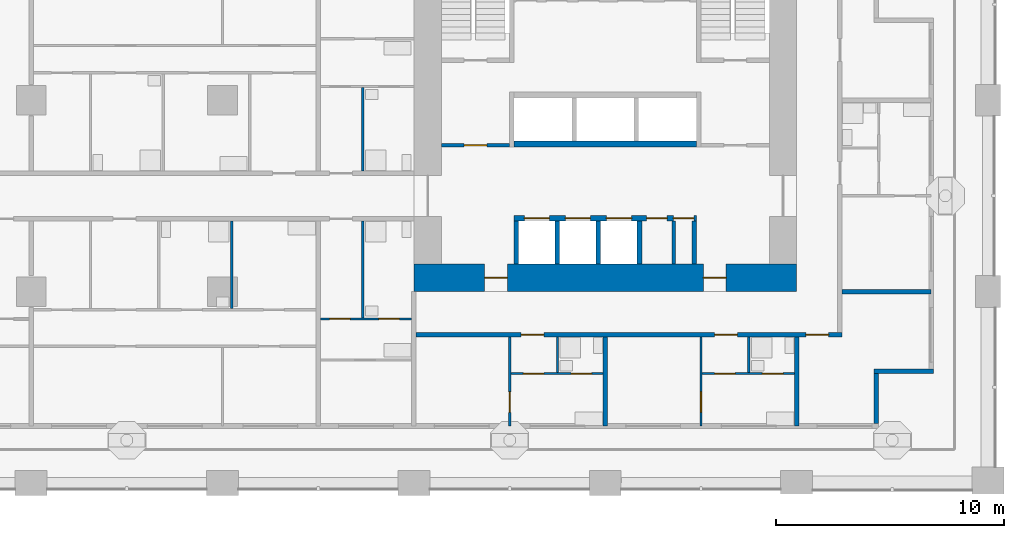
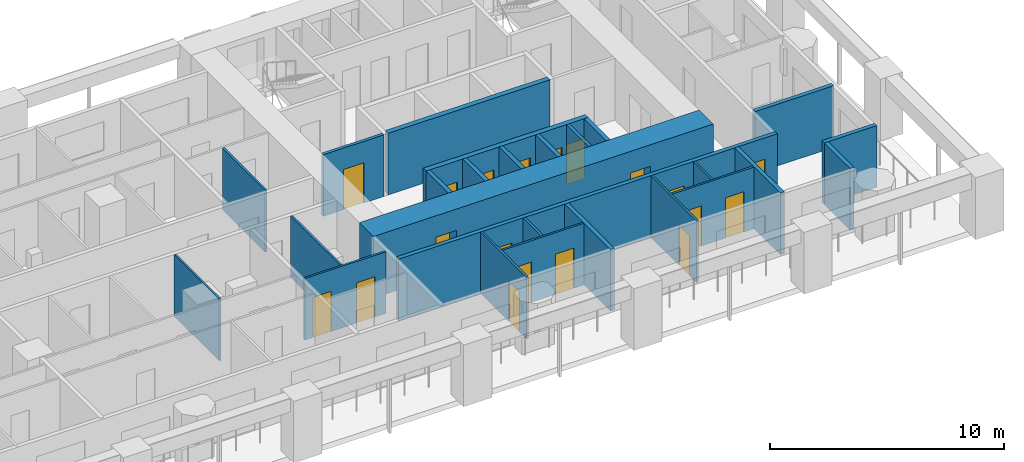
# One storey, part 6 of 22: 26 walls, 19 doors, 19 openings.
"""IFC4 building model written with IfcOpenShell, lengths in metres."""

from ifc_helpers import new_model, si_unit, direction, frame, frame_2d, origin, place, context, subcontext, project, spatial, rectangle, extrude, material, layer, layer_set, type_object, element, fill, save


model = new_model("IFC4")

# Units and contexts
model_context = context("Model", 3, precision=1e-05, world=origin(), true_north=direction((0.0, 1.0)))
body_context = subcontext(model_context, "Body", "Model", "MODEL_VIEW")
ifc_project = project(units=[si_unit("LENGTHUNIT", "METRE"), si_unit("AREAUNIT", "SQUARE_METRE"), si_unit("VOLUMEUNIT", "CUBIC_METRE"), si_unit("PLANEANGLEUNIT", "RADIAN"), si_unit("MASSUNIT", "GRAM", prefix="KILO")], contexts=[model_context])

# Site, building, storey
site_placement = place(None, origin())
site = spatial("IfcSite", under=ifc_project, at=site_placement, CompositionType="ELEMENT")
building_placement = place(site_placement, origin())
building = spatial("IfcBuilding", under=site, at=building_placement, Name="Vermilion Gate Residences", CompositionType="ELEMENT")
storey_placement = place(building_placement, frame((0.0, 0.0, 60.199951171875)))
storey = spatial("IfcBuildingStorey", under=building, at=storey_placement, Name="L14", CompositionType="ELEMENT", Elevation=60.199951171875)

# Wall
ifc_material_1 = material(Name="Masonry blockwork", Category="masonry")
ifc_layer_1 = layer(ifc_material_1, 0.14990234375)
ifc_layer_set_1 = layer_set([ifc_layer_1], Name="BLOCKWORK PARTITION 150 EI 120")
wall_type_1 = type_object("IfcWallType", Name="BLOCKWORK PARTITION 150 EI 120", PredefinedType="PARTITIONING", material=ifc_layer_set_1)
wall_1_placement = place(storey_placement, frame((53.407470703125, 9.60009765625, 0.0), z_axis=(0.0, 0.0, 1.0), x_axis=(0.0, 1.0, 0.0)))
element("IfcWall", 1, at=wall_1_placement, inside=storey, type_object=wall_type_1, Name="Core room partition A14-SR-P0", PredefinedType="PARTITIONING", context=body_context, shape_type="SweptSolid", body=[
    extrude(rectangle(XDim=1.89990234375, YDim=0.14990234375, at=frame_2d((0.949951171875, 0.0))), origin(), (0.0, 0.0, 1.0), 3.219970703125),
])

# Wall, opening, door
wall_2_placement = place(storey_placement, frame((43.199951171875, 14.824951171875, 0.0), z_axis=(0.0, 0.0, 1.0), x_axis=(1.0, 0.0, 0.0)))
wall_2 = element("IfcWall", 2, at=wall_2_placement, inside=storey, type_object=wall_type_1, Name="Core room partition A14-VW-S", PredefinedType="PARTITIONING", context=body_context, shape_type="SweptSolid", body=[
    extrude(rectangle(XDim=3.0, YDim=0.14990234375, at=frame_2d((1.5, 0.0))), origin(), (0.0, 0.0, 1.0), 3.219970703125),
])
opening_1_placement = place(wall_2_placement, frame((1.0, 0.0, 0.0)))
opening_1 = element("IfcOpeningElement", 3, at=opening_1_placement, cuts=wall_2, Name="Opening DK14015", PredefinedType="OPENING", context=body_context, shape_type="SweptSolid", body=[
    extrude(rectangle(XDim=1.0, YDim=2.10009765625, at=frame_2d((0.5, 1.050048828125))), frame((0.0, 0.0849609375, 0.0), z_axis=(0.0, -1.0, 0.0), x_axis=(1.0, 0.0, 0.0)), (0.0, 0.0, 1.0), 0.169921875),
])
ifc_material_2 = material(Name="Steel", Category="steel")
door_type_1 = type_object("IfcDoorType", Name="FIRE DOOR FD60 1000 X 2100", OperationType="SINGLE_SWING_LEFT", PredefinedType="DOOR", material=ifc_material_2)
door_1_placement = place(opening_1_placement, frame((1.0, 0.0, 0.0), z_axis=(0.0, 0.0, 1.0), x_axis=(-1.0, 0.0, 0.0)))
door_1 = element("IfcDoor", 4, at=door_1_placement, inside=storey, type_object=door_type_1, Name="Stair vestibule door A14", OperationType="SINGLE_SWING_RIGHT", OverallHeight=2.10009765625, OverallWidth=1.0, PredefinedType="DOOR", context=body_context, shape_type="SweptSolid", body=[
    extrude(rectangle(XDim=1.0, YDim=2.10009765625, at=frame_2d((0.5, 1.050048828125))), frame((0.0, 0.02490234375, 0.0), z_axis=(0.0, -1.0, 0.0), x_axis=(1.0, 0.0, 0.0)), (0.0, 0.0, 1.0), 0.050048828125),
])
fill(opening_1, door_1)

# Walls
ifc_material_3 = material(Name="Insulated steel stud wall with terracotta rainscreen", Category="masonry")
ifc_layer_2 = layer(ifc_material_3, 0.199951171875)
ifc_layer_set_2 = layer_set([ifc_layer_2], Name="EXTERNAL WALL 200 TERRACOTTA RAINSCREEN")
wall_type_2 = type_object("IfcWallType", Name="EXTERNAL WALL 200 TERRACOTTA RAINSCREEN", PredefinedType="SOLIDWALL", material=ifc_layer_set_2)
wall_3_placement = place(storey_placement, frame((62.300048828125, 2.60009765625, 0.0), z_axis=(0.0, 0.0, 1.0), x_axis=(0.0, 1.0, 0.0)))
element("IfcWall", 5, at=wall_3_placement, inside=storey, type_object=wall_type_2, Name="External wall", PredefinedType="SOLIDWALL", context=body_context, shape_type="SweptSolid", body=[
    extrude(rectangle(XDim=2.199951171875, YDim=0.199951171875, at=frame_2d((1.10009765625, 0.0))), origin(), (0.0, 0.0, 1.0), 3.219970703125),
])
wall_4_placement = place(storey_placement, frame((62.199951171875, 4.89990234375, 0.0), z_axis=(0.0, 0.0, 1.0), x_axis=(1.0, 0.0, 0.0)))
element("IfcWall", 6, at=wall_4_placement, inside=storey, type_object=wall_type_2, Name="External wall", PredefinedType="SOLIDWALL", context=body_context, shape_type="SweptSolid", body=[
    extrude(rectangle(XDim=2.60009765625, YDim=0.199951171875, at=frame_2d((1.300048828125, 0.0))), origin(), (0.0, 0.0, 1.0), 3.219970703125),
])

# Wall, openings, doors
ifc_material_4 = material(Name="Plasterboard on steel studs", Category="steel")
ifc_layer_3 = layer(ifc_material_4, 0.10009765625)
ifc_layer_set_3 = layer_set([ifc_layer_3], Name="PARTITION 100")
wall_type_3 = type_object("IfcWallType", Name="PARTITION 100", PredefinedType="PARTITIONING", material=ifc_layer_set_3)
wall_5_placement = place(storey_placement, frame((46.25, 4.800048828125, 0.0), z_axis=(0.0, 0.0, 1.0), x_axis=(1.0, 0.0, 0.0)))
wall_5 = element("IfcWall", 7, at=wall_5_placement, inside=storey, type_object=wall_type_3, Name="Partition", PredefinedType="PARTITIONING", context=body_context, shape_type="SweptSolid", body=[
    extrude(rectangle(XDim=4.050048828125, YDim=0.10009765625, at=frame_2d((2.02490234375, 0.0))), origin(), (0.0, 0.0, 1.0), 3.219970703125),
])
opening_2_placement = place(wall_5_placement, frame((0.550048828125, 0.0, 0.0)))
opening_2 = element("IfcOpeningElement", 8, at=opening_2_placement, cuts=wall_5, Name="Opening DA13001", PredefinedType="OPENING", context=body_context, shape_type="SweptSolid", body=[
    extrude(rectangle(XDim=0.89990234375, YDim=2.10009765625, at=frame_2d((0.449951171875, 1.050048828125))), frame((0.0, 0.06005859375, 0.0), z_axis=(0.0, -1.0, 0.0), x_axis=(1.0, 0.0, 0.0)), (0.0, 0.0, 1.0), 0.1201171875),
])
opening_3_placement = place(wall_5_placement, frame((2.64990234375, 0.0, 0.0)))
opening_3 = element("IfcOpeningElement", 9, at=opening_3_placement, cuts=wall_5, Name="Opening DA13002", PredefinedType="OPENING", context=body_context, shape_type="SweptSolid", body=[
    extrude(rectangle(XDim=0.89990234375, YDim=2.10009765625, at=frame_2d((0.449951171875, 1.050048828125))), frame((0.0, 0.06005859375, 0.0), z_axis=(0.0, -1.0, 0.0), x_axis=(1.0, 0.0, 0.0)), (0.0, 0.0, 1.0), 0.1201171875),
])
ifc_material_5 = material(Name="Timber", Category="wood")
door_type_2 = type_object("IfcDoorType", Name="INTERIOR DOOR 900 X 2100", OperationType="SINGLE_SWING_LEFT", PredefinedType="DOOR", material=ifc_material_5)
door_2_placement = place(opening_2_placement, frame((0.89990234375, 0.0, 0.0), z_axis=(0.0, 0.0, 1.0), x_axis=(-1.0, 0.0, 0.0)))
door_2 = element("IfcDoor", 10, at=door_2_placement, inside=storey, type_object=door_type_2, Name="Interior door", OperationType="SINGLE_SWING_RIGHT", OverallHeight=2.10009765625, OverallWidth=0.89990234375, PredefinedType="DOOR", context=body_context, shape_type="SweptSolid", body=[
    extrude(rectangle(XDim=0.89990234375, YDim=2.10009765625, at=frame_2d((0.449951171875, 1.050048828125))), frame((0.0, 0.02490234375, 0.0), z_axis=(0.0, -1.0, 0.0), x_axis=(1.0, 0.0, 0.0)), (0.0, 0.0, 1.0), 0.050048828125),
])
fill(opening_2, door_2)
door_3_placement = place(opening_3_placement, origin())
door_3 = element("IfcDoor", 11, at=door_3_placement, inside=storey, type_object=door_type_2, Name="Interior door", OperationType="SINGLE_SWING_RIGHT", OverallHeight=2.10009765625, OverallWidth=0.89990234375, PredefinedType="DOOR", context=body_context, shape_type="SweptSolid", body=[
    extrude(rectangle(XDim=0.89990234375, YDim=2.10009765625, at=frame_2d((0.449951171875, 1.050048828125))), frame((0.0, 0.02490234375, 0.0), z_axis=(0.0, -1.0, 0.0), x_axis=(1.0, 0.0, 0.0)), (0.0, 0.0, 1.0), 0.050048828125),
])
fill(opening_3, door_3)

wall_6_placement = place(storey_placement, frame((54.64990234375, 4.800048828125, 0.0), z_axis=(0.0, 0.0, 1.0), x_axis=(1.0, 0.0, 0.0)))
wall_6 = element("IfcWall", 12, at=wall_6_placement, inside=storey, type_object=wall_type_3, Name="Partition", PredefinedType="PARTITIONING", context=body_context, shape_type="SweptSolid", body=[
    extrude(rectangle(XDim=4.050048828125, YDim=0.10009765625, at=frame_2d((2.02490234375, 0.0))), origin(), (0.0, 0.0, 1.0), 3.219970703125),
])
opening_4_placement = place(wall_6_placement, frame((0.550048828125, 0.0, 0.0)))
opening_4 = element("IfcOpeningElement", 13, at=opening_4_placement, cuts=wall_6, Name="Opening DA13003", PredefinedType="OPENING", context=body_context, shape_type="SweptSolid", body=[
    extrude(rectangle(XDim=0.89990234375, YDim=2.10009765625, at=frame_2d((0.449951171875, 1.050048828125))), frame((0.0, 0.06005859375, 0.0), z_axis=(0.0, -1.0, 0.0), x_axis=(1.0, 0.0, 0.0)), (0.0, 0.0, 1.0), 0.1201171875),
])
opening_5_placement = place(wall_6_placement, frame((2.64990234375, 0.0, 0.0)))
opening_5 = element("IfcOpeningElement", 14, at=opening_5_placement, cuts=wall_6, Name="Opening DA13004", PredefinedType="OPENING", context=body_context, shape_type="SweptSolid", body=[
    extrude(rectangle(XDim=0.89990234375, YDim=2.10009765625, at=frame_2d((0.449951171875, 1.050048828125))), frame((0.0, 0.06005859375, 0.0), z_axis=(0.0, -1.0, 0.0), x_axis=(1.0, 0.0, 0.0)), (0.0, 0.0, 1.0), 0.1201171875),
])
door_4_placement = place(opening_4_placement, frame((0.89990234375, 0.0, 0.0), z_axis=(0.0, 0.0, 1.0), x_axis=(-1.0, 0.0, 0.0)))
door_4 = element("IfcDoor", 15, at=door_4_placement, inside=storey, type_object=door_type_2, Name="Interior door", OperationType="SINGLE_SWING_RIGHT", OverallHeight=2.10009765625, OverallWidth=0.89990234375, PredefinedType="DOOR", context=body_context, shape_type="SweptSolid", body=[
    extrude(rectangle(XDim=0.89990234375, YDim=2.10009765625, at=frame_2d((0.449951171875, 1.050048828125))), frame((0.0, 0.02490234375, 0.0), z_axis=(0.0, -1.0, 0.0), x_axis=(1.0, 0.0, 0.0)), (0.0, 0.0, 1.0), 0.050048828125),
])
fill(opening_4, door_4)
door_5_placement = place(opening_5_placement, origin())
door_5 = element("IfcDoor", 16, at=door_5_placement, inside=storey, type_object=door_type_2, Name="Interior door", OperationType="SINGLE_SWING_RIGHT", OverallHeight=2.10009765625, OverallWidth=0.89990234375, PredefinedType="DOOR", context=body_context, shape_type="SweptSolid", body=[
    extrude(rectangle(XDim=0.89990234375, YDim=2.10009765625, at=frame_2d((0.449951171875, 1.050048828125))), frame((0.0, 0.02490234375, 0.0), z_axis=(0.0, -1.0, 0.0), x_axis=(1.0, 0.0, 0.0)), (0.0, 0.0, 1.0), 0.050048828125),
])
fill(opening_5, door_5)

wall_7_placement = place(storey_placement, frame((37.89990234375, 7.199951171875, 0.0), z_axis=(0.0, 0.0, 1.0), x_axis=(1.0, 0.0, 0.0)))
wall_7 = element("IfcWall", 17, at=wall_7_placement, inside=storey, type_object=wall_type_3, Name="Partition", PredefinedType="PARTITIONING", context=body_context, shape_type="SweptSolid", body=[
    extrude(rectangle(XDim=4.0, YDim=0.10009765625, at=frame_2d((2.0, 0.0))), origin(), (0.0, 0.0, 1.0), 3.219970703125),
])
opening_6_placement = place(wall_7_placement, frame((0.39990234375, 0.0, 0.0)))
opening_6 = element("IfcOpeningElement", 18, at=opening_6_placement, cuts=wall_7, Name="Opening DA13017", PredefinedType="OPENING", context=body_context, shape_type="SweptSolid", body=[
    extrude(rectangle(XDim=0.89990234375, YDim=2.10009765625, at=frame_2d((0.449951171875, 1.050048828125))), frame((0.0, 0.06005859375, 0.0), z_axis=(0.0, -1.0, 0.0), x_axis=(1.0, 0.0, 0.0)), (0.0, 0.0, 1.0), 0.1201171875),
])
opening_7_placement = place(wall_7_placement, frame((2.56005859375, 0.0, 0.0)))
opening_7 = element("IfcOpeningElement", 19, at=opening_7_placement, cuts=wall_7, Name="Opening DA13018", PredefinedType="OPENING", context=body_context, shape_type="SweptSolid", body=[
    extrude(rectangle(XDim=0.89990234375, YDim=2.10009765625, at=frame_2d((0.449951171875, 1.050048828125))), frame((0.0, 0.06005859375, 0.0), z_axis=(0.0, -1.0, 0.0), x_axis=(1.0, 0.0, 0.0)), (0.0, 0.0, 1.0), 0.1201171875),
])
door_6_placement = place(opening_6_placement, frame((0.89990234375, 0.0, 0.0), z_axis=(0.0, 0.0, 1.0), x_axis=(-1.0, 0.0, 0.0)))
door_6 = element("IfcDoor", 20, at=door_6_placement, inside=storey, type_object=door_type_2, Name="Interior door", OperationType="SINGLE_SWING_RIGHT", OverallHeight=2.10009765625, OverallWidth=0.89990234375, PredefinedType="DOOR", context=body_context, shape_type="SweptSolid", body=[
    extrude(rectangle(XDim=0.89990234375, YDim=2.10009765625, at=frame_2d((0.449951171875, 1.050048828125))), frame((0.0, 0.02490234375, 0.0), z_axis=(0.0, -1.0, 0.0), x_axis=(1.0, 0.0, 0.0)), (0.0, 0.0, 1.0), 0.050048828125),
])
fill(opening_6, door_6)
door_7_placement = place(opening_7_placement, frame((0.89990234375, 0.0, 0.0), z_axis=(0.0, 0.0, 1.0), x_axis=(-1.0, 0.0, 0.0)))
door_7 = element("IfcDoor", 21, at=door_7_placement, inside=storey, type_object=door_type_2, Name="Interior door", OperationType="SINGLE_SWING_LEFT", OverallHeight=2.10009765625, OverallWidth=0.89990234375, PredefinedType="DOOR", context=body_context, shape_type="SweptSolid", body=[
    extrude(rectangle(XDim=0.89990234375, YDim=2.10009765625, at=frame_2d((0.449951171875, 1.050048828125))), frame((0.0, 0.02490234375, 0.0), z_axis=(0.0, -1.0, 0.0), x_axis=(1.0, 0.0, 0.0)), (0.0, 0.0, 1.0), 0.050048828125),
])
fill(opening_7, door_7)

# Walls
wall_8_placement = place(storey_placement, frame((34.0, 7.64990234375, 0.0), z_axis=(0.0, 0.0, 1.0), x_axis=(0.0, 1.0, 0.0)))
element("IfcWall", 22, at=wall_8_placement, inside=storey, type_object=wall_type_3, Name="Partition", PredefinedType="PARTITIONING", context=body_context, shape_type="SweptSolid", body=[
    extrude(rectangle(XDim=3.85009765625, YDim=0.10009765625, at=frame_2d((1.925048828125, 0.0))), origin(), (0.0, 0.0, 1.0), 3.219970703125),
])
wall_9_placement = place(storey_placement, frame((39.760009765625, 7.25, 0.0), z_axis=(0.0, 0.0, 1.0), x_axis=(0.0, 1.0, 0.0)))
element("IfcWall", 23, at=wall_9_placement, inside=storey, type_object=wall_type_3, Name="Partition", PredefinedType="PARTITIONING", context=body_context, shape_type="SweptSolid", body=[
    extrude(rectangle(XDim=4.25, YDim=0.10009765625, at=frame_2d((2.125, 0.0))), origin(), (0.0, 0.0, 1.0), 3.219970703125),
])
wall_10_placement = place(storey_placement, frame((39.760009765625, 13.699951171875, 0.0), z_axis=(0.0, 0.0, 1.0), x_axis=(0.0, 1.0, 0.0)))
element("IfcWall", 24, at=wall_10_placement, inside=storey, type_object=wall_type_3, Name="Partition", PredefinedType="PARTITIONING", context=body_context, shape_type="SweptSolid", body=[
    extrude(rectangle(XDim=3.650146484375, YDim=0.10009765625, at=frame_2d((1.8251953125, 0.0))), origin(), (0.0, 0.0, 1.0), 3.219970703125),
])

# Wall, opening, door
wall_11_placement = place(storey_placement, frame((46.199951171875, 2.5, 0.0), z_axis=(0.0, 0.0, 1.0), x_axis=(0.0, 1.0, 0.0)))
wall_11 = element("IfcWall", 25, at=wall_11_placement, inside=storey, type_object=wall_type_3, Name="Partition", PredefinedType="PARTITIONING", context=body_context, shape_type="SweptSolid", body=[
    extrude(rectangle(XDim=3.89990234375, YDim=0.10009765625, at=frame_2d((1.949951171875, 0.0))), origin(), (0.0, 0.0, 1.0), 3.219970703125),
])
opening_8_placement = place(wall_11_placement, frame((0.60009765625, 0.0, 0.0)))
opening_8 = element("IfcOpeningElement", 26, at=opening_8_placement, cuts=wall_11, Name="Opening DA13081", PredefinedType="OPENING", context=body_context, shape_type="SweptSolid", body=[
    extrude(rectangle(XDim=0.89990234375, YDim=2.10009765625, at=frame_2d((0.449951171875, 1.050048828125))), frame((0.0, 0.06005859375, 0.0), z_axis=(0.0, -1.0, 0.0), x_axis=(1.0, 0.0, 0.0)), (0.0, 0.0, 1.0), 0.1201171875),
])
door_8_placement = place(opening_8_placement, frame((0.89990234375, 0.0, 0.0), z_axis=(0.0, 0.0, 1.0), x_axis=(-1.0, 0.0, 0.0)))
door_8 = element("IfcDoor", 27, at=door_8_placement, inside=storey, type_object=door_type_2, Name="Interior door", OperationType="SINGLE_SWING_RIGHT", OverallHeight=2.10009765625, OverallWidth=0.89990234375, PredefinedType="DOOR", context=body_context, shape_type="SweptSolid", body=[
    extrude(rectangle(XDim=0.89990234375, YDim=2.10009765625, at=frame_2d((0.449951171875, 1.050048828125))), frame((0.0, 0.02490234375, 0.0), z_axis=(0.0, -1.0, 0.0), x_axis=(1.0, 0.0, 0.0)), (0.0, 0.0, 1.0), 0.050048828125),
])
fill(opening_8, door_8)

# Wall
wall_12_placement = place(storey_placement, frame((48.300048828125, 4.85009765625, 0.0), z_axis=(0.0, 0.0, 1.0), x_axis=(0.0, 1.0, 0.0)))
element("IfcWall", 28, at=wall_12_placement, inside=storey, type_object=wall_type_3, Name="Partition", PredefinedType="PARTITIONING", context=body_context, shape_type="SweptSolid", body=[
    extrude(rectangle(XDim=1.5498046875, YDim=0.10009765625, at=frame_2d((0.77490234375, 0.0))), origin(), (0.0, 0.0, 1.0), 3.219970703125),
])

# Wall, opening, door
wall_13_placement = place(storey_placement, frame((54.60009765625, 2.5, 0.0), z_axis=(0.0, 0.0, 1.0), x_axis=(0.0, 1.0, 0.0)))
wall_13 = element("IfcWall", 29, at=wall_13_placement, inside=storey, type_object=wall_type_3, Name="Partition", PredefinedType="PARTITIONING", context=body_context, shape_type="SweptSolid", body=[
    extrude(rectangle(XDim=3.89990234375, YDim=0.10009765625, at=frame_2d((1.949951171875, 0.0))), origin(), (0.0, 0.0, 1.0), 3.219970703125),
])
opening_9_placement = place(wall_13_placement, frame((0.60009765625, 0.0, 0.0)))
opening_9 = element("IfcOpeningElement", 30, at=opening_9_placement, cuts=wall_13, Name="Opening DA13082", PredefinedType="OPENING", context=body_context, shape_type="SweptSolid", body=[
    extrude(rectangle(XDim=0.89990234375, YDim=2.10009765625, at=frame_2d((0.449951171875, 1.050048828125))), frame((0.0, 0.06005859375, 0.0), z_axis=(0.0, -1.0, 0.0), x_axis=(1.0, 0.0, 0.0)), (0.0, 0.0, 1.0), 0.1201171875),
])
door_9_placement = place(opening_9_placement, frame((0.89990234375, 0.0, 0.0), z_axis=(0.0, 0.0, 1.0), x_axis=(-1.0, 0.0, 0.0)))
door_9 = element("IfcDoor", 31, at=door_9_placement, inside=storey, type_object=door_type_2, Name="Interior door", OperationType="SINGLE_SWING_RIGHT", OverallHeight=2.10009765625, OverallWidth=0.89990234375, PredefinedType="DOOR", context=body_context, shape_type="SweptSolid", body=[
    extrude(rectangle(XDim=0.89990234375, YDim=2.10009765625, at=frame_2d((0.449951171875, 1.050048828125))), frame((0.0, 0.02490234375, 0.0), z_axis=(0.0, -1.0, 0.0), x_axis=(1.0, 0.0, 0.0)), (0.0, 0.0, 1.0), 0.050048828125),
])
fill(opening_9, door_9)

# Wall
wall_14_placement = place(storey_placement, frame((56.699951171875, 4.85009765625, 0.0), z_axis=(0.0, 0.0, 1.0), x_axis=(0.0, 1.0, 0.0)))
element("IfcWall", 32, at=wall_14_placement, inside=storey, type_object=wall_type_3, Name="Partition", PredefinedType="PARTITIONING", context=body_context, shape_type="SweptSolid", body=[
    extrude(rectangle(XDim=1.5498046875, YDim=0.10009765625, at=frame_2d((0.77490234375, 0.0))), origin(), (0.0, 0.0, 1.0), 3.219970703125),
])

# Wall, openings, doors
ifc_material_6 = material(Name="Fire-rated plasterboard on steel studs", Category="steel")
ifc_layer_4 = layer(ifc_material_6, 0.199951171875)
ifc_layer_set_4 = layer_set([ifc_layer_4], Name="PARTY WALL 200 EI 120")
wall_type_4 = type_object("IfcWallType", Name="PARTY WALL 200 EI 120", PredefinedType="PARTITIONING", material=ifc_layer_set_4)
wall_15_placement = place(storey_placement, frame((42.10009765625, 6.5, 0.0), z_axis=(0.0, 0.0, 1.0), x_axis=(1.0, 0.0, 0.0)))
wall_15 = element("IfcWall", 33, at=wall_15_placement, inside=storey, type_object=wall_type_4, Name="Party and corridor wall", PredefinedType="PARTITIONING", context=body_context, shape_type="SweptSolid", body=[
    extrude(rectangle(XDim=18.699951171875, YDim=0.199951171875, at=frame_2d((9.35009765625, 0.0))), origin(), (0.0, 0.0, 1.0), 3.219970703125),
])
opening_10_placement = place(wall_15_placement, frame((4.60009765625, 0.0, 0.0)))
opening_10 = element("IfcOpeningElement", 34, at=opening_10_placement, cuts=wall_15, Name="Opening DA13011", PredefinedType="OPENING", context=body_context, shape_type="SweptSolid", body=[
    extrude(rectangle(XDim=1.0, YDim=2.10009765625, at=frame_2d((0.5, 1.050048828125))), frame((0.0, 0.10986328125, 0.0), z_axis=(0.0, -1.0, 0.0), x_axis=(1.0, 0.0, 0.0)), (0.0, 0.0, 1.0), 0.219970703125),
])
opening_11_placement = place(wall_15_placement, frame((13.10009765625, 0.0, 0.0)))
opening_11 = element("IfcOpeningElement", 35, at=opening_11_placement, cuts=wall_15, Name="Opening DA13012", PredefinedType="OPENING", context=body_context, shape_type="SweptSolid", body=[
    extrude(rectangle(XDim=1.0, YDim=2.10009765625, at=frame_2d((0.5, 1.050048828125))), frame((0.0, 0.10986328125, 0.0), z_axis=(0.0, -1.0, 0.0), x_axis=(1.0, 0.0, 0.0)), (0.0, 0.0, 1.0), 0.219970703125),
])
opening_12_placement = place(wall_15_placement, frame((17.10009765625, 0.0, 0.0)))
opening_12 = element("IfcOpeningElement", 36, at=opening_12_placement, cuts=wall_15, Name="Opening DA13013", PredefinedType="OPENING", context=body_context, shape_type="SweptSolid", body=[
    extrude(rectangle(XDim=1.0, YDim=2.10009765625, at=frame_2d((0.5, 1.050048828125))), frame((0.0, 0.10986328125, 0.0), z_axis=(0.0, -1.0, 0.0), x_axis=(1.0, 0.0, 0.0)), (0.0, 0.0, 1.0), 0.219970703125),
])
ifc_material_7 = material(Name="Steel", Category="steel")
door_type_3 = type_object("IfcDoorType", Name="ENTRANCE DOOR 1000 X 2100 FD30", OperationType="SINGLE_SWING_LEFT", PredefinedType="DOOR", material=ifc_material_7)
door_10_placement = place(opening_10_placement, frame((1.0, 0.0, 0.0), z_axis=(0.0, 0.0, 1.0), x_axis=(-1.0, 0.0, 0.0)))
door_10 = element("IfcDoor", 37, at=door_10_placement, inside=storey, type_object=door_type_3, Name="Entrance door", OperationType="SINGLE_SWING_RIGHT", OverallHeight=2.10009765625, OverallWidth=1.0, PredefinedType="DOOR", context=body_context, shape_type="SweptSolid", body=[
    extrude(rectangle(XDim=1.0, YDim=2.10009765625, at=frame_2d((0.5, 1.050048828125))), frame((0.0, 0.02490234375, 0.0), z_axis=(0.0, -1.0, 0.0), x_axis=(1.0, 0.0, 0.0)), (0.0, 0.0, 1.0), 0.050048828125),
])
fill(opening_10, door_10)
door_11_placement = place(opening_11_placement, frame((1.0, 0.0, 0.0), z_axis=(0.0, 0.0, 1.0), x_axis=(-1.0, 0.0, 0.0)))
door_11 = element("IfcDoor", 38, at=door_11_placement, inside=storey, type_object=door_type_3, Name="Entrance door", OperationType="SINGLE_SWING_LEFT", OverallHeight=2.10009765625, OverallWidth=1.0, PredefinedType="DOOR", context=body_context, shape_type="SweptSolid", body=[
    extrude(rectangle(XDim=1.0, YDim=2.10009765625, at=frame_2d((0.5, 1.050048828125))), frame((0.0, 0.02490234375, 0.0), z_axis=(0.0, -1.0, 0.0), x_axis=(1.0, 0.0, 0.0)), (0.0, 0.0, 1.0), 0.050048828125),
])
fill(opening_11, door_11)
door_12_placement = place(opening_12_placement, frame((1.0, 0.0, 0.0), z_axis=(0.0, 0.0, 1.0), x_axis=(-1.0, 0.0, 0.0)))
door_12 = element("IfcDoor", 39, at=door_12_placement, inside=storey, type_object=door_type_3, Name="Entrance door", OperationType="SINGLE_SWING_RIGHT", OverallHeight=2.10009765625, OverallWidth=1.0, PredefinedType="DOOR", context=body_context, shape_type="SweptSolid", body=[
    extrude(rectangle(XDim=1.0, YDim=2.10009765625, at=frame_2d((0.5, 1.050048828125))), frame((0.0, 0.02490234375, 0.0), z_axis=(0.0, -1.0, 0.0), x_axis=(1.0, 0.0, 0.0)), (0.0, 0.0, 1.0), 0.050048828125),
])
fill(opening_12, door_12)

# Walls
for number, where, z_axis, x_axis, name in (
    (40, (60.800048828125, 8.39990234375, 0.0), (0.0, 0.0, 1.0), (1.0, 0.0, 0.0), "Party and corridor wall"),
    (41, (50.39990234375, 2.5, 0.0), (0.0, 0.0, 1.0), (0.0, 1.0, 0.0), "Party and corridor wall"),
    (42, (58.800048828125, 2.5, 0.0), (0.0, 0.0, 1.0), (0.0, 1.0, 0.0), "Party and corridor wall"),
):
    element("IfcWall", number, at=place(storey_placement, frame(where, z_axis=z_axis, x_axis=x_axis)), inside=storey, type_object=wall_type_4, Name=name, PredefinedType="PARTITIONING", context=body_context, shape_type="SweptSolid", body=[
        extrude(rectangle(XDim=3.89990234375, YDim=0.199951171875, at=frame_2d((1.949951171875, 0.0))), origin(), (0.0, 0.0, 1.0), 3.219970703125),
    ])
ifc_material_8 = material(Name="Concrete C60", Category="concrete")
ifc_layer_5 = layer(ifc_material_8, 0.199951171875)
ifc_layer_set_5 = layer_set([ifc_layer_5], Name="RC CORE INTERNAL WALL 200 C60")
wall_type_5 = type_object("IfcWallType", Name="RC CORE INTERNAL WALL 200 C60", PredefinedType="SHEAR", material=ifc_layer_set_5)
for number, where, z_axis, x_axis, name in (
    (43, (46.5, 9.60009765625, 0.0), (0.0, 0.0, 1.0), (0.0, 1.0, 0.0), "Core internal wall A14-LR-D0"),
    (44, (48.300048828125, 9.60009765625, 0.0), (0.0, 0.0, 1.0), (0.0, 1.0, 0.0), "Core internal wall A14-LR-D1"),
    (45, (50.10009765625, 9.60009765625, 0.0), (0.0, 0.0, 1.0), (0.0, 1.0, 0.0), "Core internal wall A14-LR-D2"),
    (46, (51.89990234375, 9.60009765625, 0.0), (0.0, 0.0, 1.0), (0.0, 1.0, 0.0), "Core internal wall A14-LR-D3"),
    (47, (54.300048828125, 9.60009765625, 0.0), (0.0, 0.0, 1.0), (0.0, 1.0, 0.0), "Core internal wall A14-LR-DE"),
):
    element("IfcWall", number, at=place(storey_placement, frame(where, z_axis=z_axis, x_axis=x_axis)), inside=storey, type_object=wall_type_5, Name=name, PredefinedType="SHEAR", context=body_context, shape_type="SweptSolid", body=[
        extrude(rectangle(XDim=1.89990234375, YDim=0.199951171875, at=frame_2d((0.949951171875, 0.0))), origin(), (0.0, 0.0, 1.0), 3.219970703125),
    ])

# Wall, openings, doors
ifc_material_9 = material(Name="Concrete C80", Category="concrete")
ifc_layer_6 = layer(ifc_material_9, 1.199951171875)
ifc_layer_set_6 = layer_set([ifc_layer_6], Name="RC CORE WALL 1200 C80")
wall_type_6 = type_object("IfcWallType", Name="RC CORE WALL 1200 C80", PredefinedType="SHEAR", material=ifc_layer_set_6)
wall_16_placement = place(storey_placement, frame((42.0, 9.0, 0.0), z_axis=(0.0, 0.0, 1.0), x_axis=(1.0, 0.0, 0.0)))
wall_16 = element("IfcWall", 48, at=wall_16_placement, inside=storey, type_object=wall_type_6, Name="Core wall A14-OUT-B0", PredefinedType="SHEAR", context=body_context, shape_type="SweptSolid", body=[
    extrude(rectangle(XDim=16.800048828125, YDim=1.199951171875, at=frame_2d((8.39990234375, 0.0))), origin(), (0.0, 0.0, 1.0), 3.219970703125),
])
opening_13_placement = place(wall_16_placement, frame((3.10009765625, 0.0, 0.0)))
opening_13 = element("IfcOpeningElement", 49, at=opening_13_placement, cuts=wall_16, Name="Opening DK14001", PredefinedType="OPENING", context=body_context, shape_type="SweptSolid", body=[
    extrude(rectangle(XDim=1.0, YDim=2.10009765625, at=frame_2d((0.5, 1.050048828125))), frame((0.0, 0.60986328125, 0.0), z_axis=(0.0, -1.0, 0.0), x_axis=(1.0, 0.0, 0.0)), (0.0, 0.0, 1.0), 1.219970703125),
])
opening_14_placement = place(wall_16_placement, frame((12.699951171875, 0.0, 0.0)))
opening_14 = element("IfcOpeningElement", 50, at=opening_14_placement, cuts=wall_16, Name="Opening DK14002", PredefinedType="OPENING", context=body_context, shape_type="SweptSolid", body=[
    extrude(rectangle(XDim=1.0, YDim=2.10009765625, at=frame_2d((0.5, 1.050048828125))), frame((0.0, 0.60986328125, 0.0), z_axis=(0.0, -1.0, 0.0), x_axis=(1.0, 0.0, 0.0)), (0.0, 0.0, 1.0), 1.219970703125),
])
door_13_placement = place(opening_13_placement, origin())
door_13 = element("IfcDoor", 51, at=door_13_placement, inside=storey, type_object=door_type_1, Name="Core lobby side door A14", OperationType="SINGLE_SWING_RIGHT", OverallHeight=2.10009765625, OverallWidth=1.0, PredefinedType="DOOR", context=body_context, shape_type="SweptSolid", body=[
    extrude(rectangle(XDim=1.0, YDim=2.10009765625, at=frame_2d((0.5, 1.050048828125))), frame((0.0, 0.02490234375, 0.0), z_axis=(0.0, -1.0, 0.0), x_axis=(1.0, 0.0, 0.0)), (0.0, 0.0, 1.0), 0.050048828125),
])
fill(opening_13, door_13)
door_14_placement = place(opening_14_placement, origin())
door_14 = element("IfcDoor", 52, at=door_14_placement, inside=storey, type_object=door_type_1, Name="Core lobby side door A14", OperationType="SINGLE_SWING_LEFT", OverallHeight=2.10009765625, OverallWidth=1.0, PredefinedType="DOOR", context=body_context, shape_type="SweptSolid", body=[
    extrude(rectangle(XDim=1.0, YDim=2.10009765625, at=frame_2d((0.5, 1.050048828125))), frame((0.0, 0.02490234375, 0.0), z_axis=(0.0, -1.0, 0.0), x_axis=(1.0, 0.0, 0.0)), (0.0, 0.0, 1.0), 0.050048828125),
])
fill(opening_14, door_14)

ifc_material_10 = material(Name="Concrete C60", Category="concrete")
ifc_layer_7 = layer(ifc_material_10, 0.25)
ifc_layer_set_7 = layer_set([ifc_layer_7], Name="RC LIFT SHAFT WALL 250 C60")
wall_type_7 = type_object("IfcWallType", Name="RC LIFT SHAFT WALL 250 C60", PredefinedType="SHEAR", material=ifc_layer_set_7)
wall_17_placement = place(storey_placement, frame((46.39990234375, 11.625, 0.0), z_axis=(0.0, 0.0, 1.0), x_axis=(1.0, 0.0, 0.0)))
wall_17 = element("IfcWall", 53, at=wall_17_placement, inside=storey, type_object=wall_type_7, Name="Lift shaft wall A14-LR-F", PredefinedType="SHEAR", context=body_context, shape_type="SweptSolid", body=[
    extrude(rectangle(XDim=8.0, YDim=0.25, at=frame_2d((4.0, 0.0))), origin(), (0.0, 0.0, 1.0), 3.219970703125),
])
opening_15_placement = place(wall_17_placement, frame((0.449951171875, 0.0, 0.0)))
opening_15 = element("IfcOpeningElement", 54, at=opening_15_placement, cuts=wall_17, Name="Opening LD", PredefinedType="OPENING", context=body_context, shape_type="SweptSolid", body=[
    extrude(rectangle(XDim=1.10009765625, YDim=2.10009765625, at=frame_2d((0.550048828125, 1.050048828125))), frame((0.0, 0.135009765625, 0.0), z_axis=(0.0, -1.0, 0.0), x_axis=(1.0, 0.0, 0.0)), (0.0, 0.0, 1.0), 0.27001953125),
])
opening_16_placement = place(wall_17_placement, frame((2.25, 0.0, 0.0)))
opening_16 = element("IfcOpeningElement", 55, at=opening_16_placement, cuts=wall_17, Name="Opening LD", PredefinedType="OPENING", context=body_context, shape_type="SweptSolid", body=[
    extrude(rectangle(XDim=1.10009765625, YDim=2.10009765625, at=frame_2d((0.550048828125, 1.050048828125))), frame((0.0, 0.135009765625, 0.0), z_axis=(0.0, -1.0, 0.0), x_axis=(1.0, 0.0, 0.0)), (0.0, 0.0, 1.0), 0.27001953125),
])
opening_17_placement = place(wall_17_placement, frame((4.050048828125, 0.0, 0.0)))
opening_17 = element("IfcOpeningElement", 56, at=opening_17_placement, cuts=wall_17, Name="Opening LD", PredefinedType="OPENING", context=body_context, shape_type="SweptSolid", body=[
    extrude(rectangle(XDim=1.10009765625, YDim=2.10009765625, at=frame_2d((0.550048828125, 1.050048828125))), frame((0.0, 0.135009765625, 0.0), z_axis=(0.0, -1.0, 0.0), x_axis=(1.0, 0.0, 0.0)), (0.0, 0.0, 1.0), 0.27001953125),
])
opening_18_placement = place(wall_17_placement, frame((5.816162109375, 0.0, 0.0)))
opening_18 = element("IfcOpeningElement", 57, at=opening_18_placement, cuts=wall_17, Name="Opening DK14008", PredefinedType="OPENING", context=body_context, shape_type="SweptSolid", body=[
    extrude(rectangle(XDim=0.89990234375, YDim=2.10009765625, at=frame_2d((0.449951171875, 1.050048828125))), frame((0.0, 0.135009765625, 0.0), z_axis=(0.0, -1.0, 0.0), x_axis=(1.0, 0.0, 0.0)), (0.0, 0.0, 1.0), 0.27001953125),
])
opening_19_placement = place(wall_17_placement, frame((6.9912109375, 0.0, 0.0)))
opening_19 = element("IfcOpeningElement", 58, at=opening_19_placement, cuts=wall_17, Name="Opening DK14009", PredefinedType="OPENING", context=body_context, shape_type="SweptSolid", body=[
    extrude(rectangle(XDim=0.89990234375, YDim=2.10009765625, at=frame_2d((0.449951171875, 1.050048828125))), frame((0.0, 0.135009765625, 0.0), z_axis=(0.0, -1.0, 0.0), x_axis=(1.0, 0.0, 0.0)), (0.0, 0.0, 1.0), 0.27001953125),
])
ifc_material_11 = material(Name="Stainless steel", Category="steel")
door_type_4 = type_object("IfcDoorType", Name="LIFT LANDING DOOR E60 1100 X 2100", OperationType="DOUBLE_DOOR_SLIDING", PredefinedType="DOOR", material=ifc_material_11)
door_15_placement = place(opening_15_placement, origin())
door_15 = element("IfcDoor", 59, at=door_15_placement, inside=storey, type_object=door_type_4, Name="Lift landing door LRA1", OperationType="DOUBLE_DOOR_SLIDING", OverallHeight=2.10009765625, OverallWidth=1.10009765625, PredefinedType="DOOR", context=body_context, shape_type="SweptSolid", body=[
    extrude(rectangle(XDim=1.10009765625, YDim=2.10009765625, at=frame_2d((0.550048828125, 1.050048828125))), frame((0.0, 0.02490234375, 0.0), z_axis=(0.0, -1.0, 0.0), x_axis=(1.0, 0.0, 0.0)), (0.0, 0.0, 1.0), 0.050048828125),
])
fill(opening_15, door_15)
door_16_placement = place(opening_16_placement, origin())
door_16 = element("IfcDoor", 60, at=door_16_placement, inside=storey, type_object=door_type_4, Name="Lift landing door LRA2", OperationType="DOUBLE_DOOR_SLIDING", OverallHeight=2.10009765625, OverallWidth=1.10009765625, PredefinedType="DOOR", context=body_context, shape_type="SweptSolid", body=[
    extrude(rectangle(XDim=1.10009765625, YDim=2.10009765625, at=frame_2d((0.550048828125, 1.050048828125))), frame((0.0, 0.02490234375, 0.0), z_axis=(0.0, -1.0, 0.0), x_axis=(1.0, 0.0, 0.0)), (0.0, 0.0, 1.0), 0.050048828125),
])
fill(opening_16, door_16)
door_17_placement = place(opening_17_placement, origin())
door_17 = element("IfcDoor", 61, at=door_17_placement, inside=storey, type_object=door_type_4, Name="Lift landing door LRA3", OperationType="DOUBLE_DOOR_SLIDING", OverallHeight=2.10009765625, OverallWidth=1.10009765625, PredefinedType="DOOR", context=body_context, shape_type="SweptSolid", body=[
    extrude(rectangle(XDim=1.10009765625, YDim=2.10009765625, at=frame_2d((0.550048828125, 1.050048828125))), frame((0.0, 0.02490234375, 0.0), z_axis=(0.0, -1.0, 0.0), x_axis=(1.0, 0.0, 0.0)), (0.0, 0.0, 1.0), 0.050048828125),
])
fill(opening_17, door_17)
ifc_material_12 = material(Name="Steel", Category="steel")
door_type_5 = type_object("IfcDoorType", Name="SERVICE ROOM DOOR FD60 900 X 2100", OperationType="SINGLE_SWING_LEFT", PredefinedType="DOOR", material=ifc_material_12)
door_18_placement = place(opening_18_placement, origin())
door_18 = element("IfcDoor", 62, at=door_18_placement, inside=storey, type_object=door_type_5, Name="Electrical room A14", OperationType="SINGLE_SWING_LEFT", OverallHeight=2.10009765625, OverallWidth=0.89990234375, PredefinedType="DOOR", context=body_context, shape_type="SweptSolid", body=[
    extrude(rectangle(XDim=0.89990234375, YDim=2.10009765625, at=frame_2d((0.449951171875, 1.050048828125))), frame((0.0, 0.02490234375, 0.0), z_axis=(0.0, -1.0, 0.0), x_axis=(1.0, 0.0, 0.0)), (0.0, 0.0, 1.0), 0.050048828125),
])
fill(opening_18, door_18)
door_19_placement = place(opening_19_placement, origin())
door_19 = element("IfcDoor", 63, at=door_19_placement, inside=storey, type_object=door_type_5, Name="Communications room A14", OperationType="SINGLE_SWING_LEFT", OverallHeight=2.10009765625, OverallWidth=0.89990234375, PredefinedType="DOOR", context=body_context, shape_type="SweptSolid", body=[
    extrude(rectangle(XDim=0.89990234375, YDim=2.10009765625, at=frame_2d((0.449951171875, 1.050048828125))), frame((0.0, 0.02490234375, 0.0), z_axis=(0.0, -1.0, 0.0), x_axis=(1.0, 0.0, 0.0)), (0.0, 0.0, 1.0), 0.050048828125),
])
fill(opening_19, door_19)

# Wall
wall_18_placement = place(storey_placement, frame((46.39990234375, 14.875, 0.0), z_axis=(0.0, 0.0, 1.0), x_axis=(1.0, 0.0, 0.0)))
element("IfcWall", 64, at=wall_18_placement, inside=storey, type_object=wall_type_7, Name="Lift shaft wall A14-HR-F", PredefinedType="SHEAR", context=body_context, shape_type="SweptSolid", body=[
    extrude(rectangle(XDim=8.0, YDim=0.25, at=frame_2d((4.0, 0.0))), origin(), (0.0, 0.0, 1.0), 3.219970703125),
])

save(model, "model.ifc")
